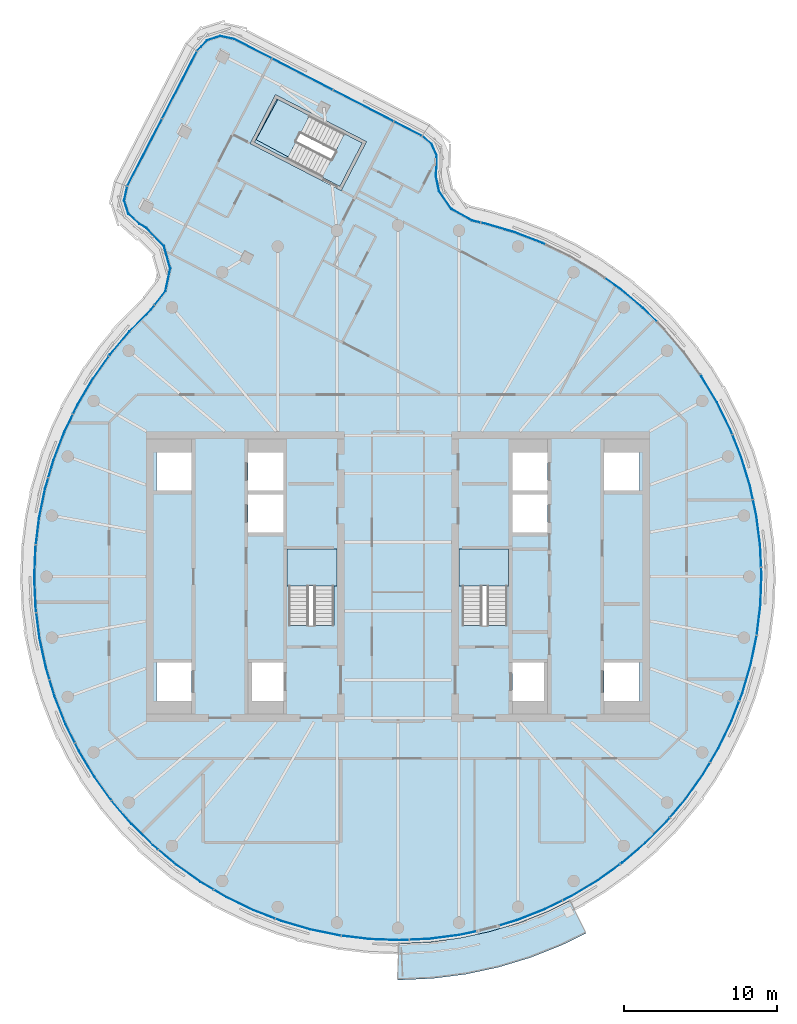
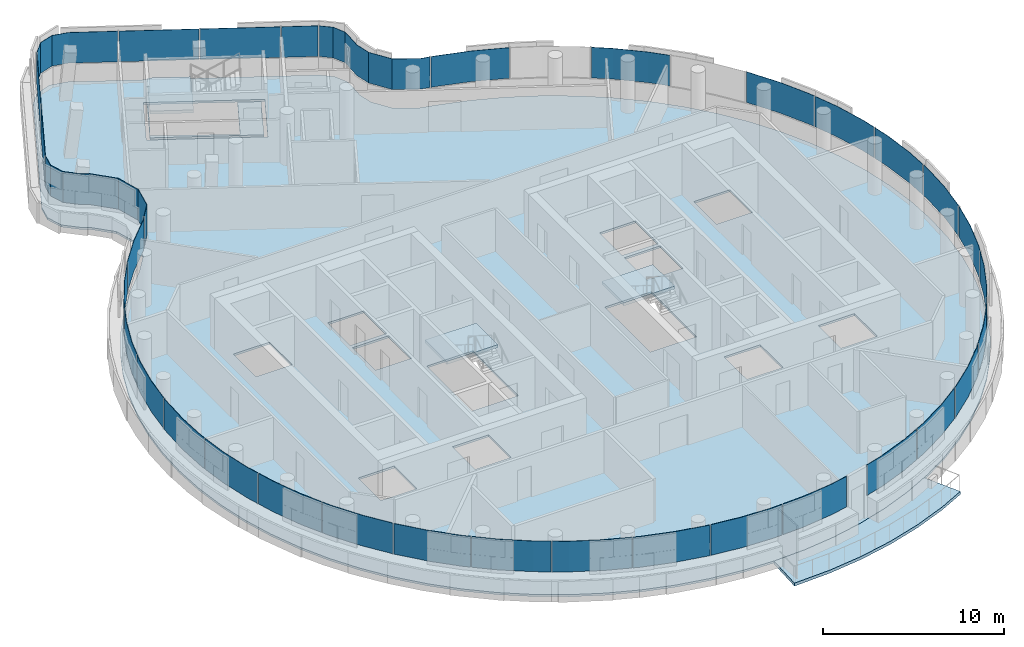
# One storey, part 12 of 21: 34 plates, 6 slabs, 6 elements without a shape of their own.
"""IFC4 building model written with IfcOpenShell, lengths in metres."""

from ifc_helpers import new_model, si_unit, direction, frame, origin, place, context, subcontext, project, spatial, polyline, outline, extrude, material, layer, layer_set, type_object, element, aggregate, save


model = new_model("IFC4")

# Units and contexts
model_context = context("Model", 3, precision=1e-05, world=origin(), true_north=direction((0.0, 1.0)))
body_context = subcontext(model_context, "Body", "Model", "MODEL_VIEW")
ifc_project = project(units=[si_unit("LENGTHUNIT", "METRE"), si_unit("AREAUNIT", "SQUARE_METRE"), si_unit("VOLUMEUNIT", "CUBIC_METRE"), si_unit("PLANEANGLEUNIT", "RADIAN"), si_unit("MASSUNIT", "GRAM", prefix="KILO")], contexts=[model_context])

# Site, building, storey
site_placement = place(None, origin())
site = spatial("IfcSite", under=ifc_project, at=site_placement, CompositionType="ELEMENT")
building_placement = place(site_placement, origin())
building = spatial("IfcBuilding", under=site, at=building_placement, Name="Tamarind Cross Interchange Tower", CompositionType="ELEMENT")
storey_placement = place(building_placement, frame((0.0, 0.0, 260.39990234375)))
storey = spatial("IfcBuildingStorey", under=building, at=storey_placement, Name="L66", CompositionType="ELEMENT", Elevation=260.39990234375)

# Slabs
ifc_material_1 = material(Name="Precast concrete C40", Category="concrete")
ifc_layer_1 = layer(ifc_material_1, 0.199951171875)
ifc_layer_set_1 = layer_set([ifc_layer_1], Name="Precast concrete C40")
slab_type_1 = type_object("IfcSlabType", Name="Balcony slab", PredefinedType="BASESLAB", material=ifc_layer_set_1)
slab_1_placement = place(storey_placement, frame((0.0, 0.0, -0.199951171875)))
element("IfcSlab", 1, at=slab_1_placement, inside=storey, type_object=slab_type_1, Name="SLB-L66-BAL01", PredefinedType="BASESLAB", context=body_context, shape_type="SweptSolid", body=[
    extrude(outline(polyline([(0.0654296875, -23.994384765625), (0.103271484375, -23.995849609375), (2.08447265625, -23.9052734375), (4.051513671875, -23.6513671875), (5.99072265625, -23.236083984375), (7.88916015625, -22.662109375), (9.733642578125, -21.93310546875), (11.241455078125, -21.18798828125), (12.304931640625, -23.339599609375), (10.7080078125, -24.128662109375), (8.6787109375, -24.9306640625), (6.59033203125, -25.56201171875), (4.45703125, -26.01904296875), (2.293212890625, -26.298095703125), (0.113525390625, -26.397705078125), (-0.0234375, -26.392578125), (0.0654296875, -23.994384765625)])), origin(), (0.0, 0.0, 1.0), 0.199951171875),
])
ifc_material_2 = material(Name="Concrete C35", Category="concrete")
ifc_layer_2 = layer(ifc_material_2, 0.139892578125)
ifc_layer_set_2 = layer_set([ifc_layer_2], Name="Concrete C35")
slab_type_2 = type_object("IfcSlabType", Name="Composite slab 140 Concrete C35", PredefinedType="FLOOR", material=ifc_layer_set_2)
slab_2_placement = place(storey_placement, frame((0.0, 0.0, -0.139892578125)))
element("IfcSlab", 2, at=slab_2_placement, inside=storey, type_object=slab_type_2, Name="Floor slab L66", PredefinedType="FLOOR", context=body_context, shape_type="SweptSolid", body=[
    extrude(outline(polyline([(2.373291015625, 28.431640625), (1.6953125, 29.002685546875), (-10.622802734375, 35.364013671875), (-11.63427734375, 35.584716796875), (-12.62060546875, 35.27001953125), (-13.3173828125, 34.50439453125), (-17.906005859375, 25.619384765625), (-18.126708984375, 24.60791015625), (-17.81201171875, 23.62158203125), (-17.04638671875, 22.924560546875), (-16.582763671875, 22.651611328125), (-15.4951171875, 21.5390625), (-15.10302734375, 20.1611328125), (-15.406494140625, 18.760986328125), (-16.327880859375, 17.584228515625), (-17.72412109375, 16.17578125), (-18.99951171875, 14.656982421875), (-20.14501953125, 13.0380859375), (-21.15283203125, 11.329833984375), (-22.01611328125, 9.54443359375), (-22.72900390625, 7.693603515625), (-23.286865234375, 5.79052734375), (-23.685546875, 3.84765625), (-23.92236328125, 1.878662109375), (-23.99560546875, -0.103271484375), (-23.9052734375, -2.08447265625), (-23.651611328125, -4.051513671875), (-23.236083984375, -5.99072265625), (-22.662109375, -7.88916015625), (-21.93310546875, -9.7333984375), (-21.054443359375, -11.511474609375), (-20.031982421875, -13.2109375), (-18.87255859375, -14.820068359375), (-17.584228515625, -16.327880859375), (-16.17578125, -17.72412109375), (-14.656982421875, -18.99951171875), (-13.0380859375, -20.14501953125), (-11.329833984375, -21.15283203125), (-9.54443359375, -22.01611328125), (-7.693603515625, -22.72900390625), (-5.79052734375, -23.286865234375), (-3.84765625, -23.685546875), (-1.878662109375, -23.92236328125), (0.103271484375, -23.99560546875), (2.08447265625, -23.9052734375), (4.051513671875, -23.651611328125), (5.99072265625, -23.236083984375), (7.88916015625, -22.662109375), (9.7333984375, -21.93310546875), (11.511474609375, -21.054443359375), (13.2109375, -20.031982421875), (14.820068359375, -18.87255859375), (16.327880859375, -17.584228515625), (17.72412109375, -16.17578125), (18.99951171875, -14.656982421875), (20.14501953125, -13.0380859375), (21.15283203125, -11.329833984375), (22.01611328125, -9.54443359375), (22.72900390625, -7.693603515625), (23.286865234375, -5.79052734375), (23.685546875, -3.84765625), (23.92236328125, -1.878662109375), (23.99560546875, 0.103271484375), (23.9052734375, 2.08447265625), (23.651611328125, 4.051513671875), (23.236083984375, 5.99072265625), (22.662109375, 7.88916015625), (21.93310546875, 9.7333984375), (21.054443359375, 11.511474609375), (20.031982421875, 13.2109375), (18.87255859375, 14.820068359375), (17.584228515625, 16.327880859375), (16.17578125, 17.72412109375), (14.656982421875, 18.99951171875), (13.0380859375, 20.14501953125), (11.329833984375, 21.15283203125), (9.54443359375, 22.01611328125), (7.693603515625, 22.72900390625), (5.79052734375, 23.286865234375), (4.920166015625, 23.49609375), (3.640380859375, 24.206787109375), (2.881591796875, 25.321533203125), (2.689453125, 26.207275390625), (2.71728515625, 26.737548828125), (2.73779296875, 27.623779296875), (2.373291015625, 28.431640625)]), holes=[polyline([(-13.5, -5.625), (-13.5, -8.125), (-15.800048828125, -8.125), (-15.800048828125, -5.625), (-13.5, -5.625)]), polyline([(-7.5, -5.625), (-7.5, -8.125), (-9.800048828125, -8.125), (-9.800048828125, -5.625), (-7.5, -5.625)]), polyline([(-7.14990234375, 1.800048828125), (-4.199951171875, 1.800048828125), (-4.199951171875, -3.18798828125), (-7.14990234375, -3.18798828125), (-7.14990234375, 1.800048828125)]), polyline([(-7.5, 5.375), (-7.5, 2.875), (-9.800048828125, 2.875), (-9.800048828125, 5.375), (-7.5, 5.375)]), polyline([(-13.5, 8.125), (-13.5, 5.625), (-15.800048828125, 5.625), (-15.800048828125, 8.125), (-13.5, 8.125)]), polyline([(-7.5, 8.125), (-7.5, 5.625), (-9.800048828125, 5.625), (-9.800048828125, 8.125), (-7.5, 8.125)]), polyline([(-9.66748046875, 28.3427734375), (-9.57568359375, 28.5205078125), (-8.107421875, 31.36376953125), (-8.015625, 31.54150390625), (-7.76171875, 31.410400390625), (-7.75927734375, 31.4150390625), (-7.50439453125, 31.277587890625), (-2.0625, 28.46728515625), (-2.154296875, 28.28955078125), (-3.62255859375, 25.4462890625), (-3.71435546875, 25.2685546875), (-9.66748046875, 28.3427734375)]), polyline([(7.5, -8.125), (7.5, -5.625), (9.800048828125, -5.625), (9.800048828125, -8.125), (7.5, -8.125)]), polyline([(13.5, -8.125), (13.5, -5.625), (15.800048828125, -5.625), (15.800048828125, -8.125), (13.5, -8.125)]), polyline([(4.199951171875, 1.800048828125), (7.14990234375, 1.800048828125), (7.14990234375, -3.18798828125), (4.199951171875, -3.18798828125), (4.199951171875, 1.800048828125)]), polyline([(7.5, 2.875), (7.5, 5.375), (9.800048828125, 5.375), (9.800048828125, 2.875), (7.5, 2.875)]), polyline([(7.5, 5.625), (7.5, 8.125), (9.800048828125, 8.125), (9.800048828125, 5.625), (7.5, 5.625)]), polyline([(13.5, 5.625), (13.5, 8.125), (15.800048828125, 8.125), (15.800048828125, 5.625), (13.5, 5.625)])]), origin(), (0.0, 0.0, 1.0), 0.139892578125),
])
slab_3_placement = place(storey_placement, frame((0.0, 0.0, -0.139892578125)))
element("IfcSlab", 3, at=slab_3_placement, inside=storey, type_object=slab_type_2, Name="Floor slab L66", PredefinedType="FLOOR", context=body_context, shape_type="SweptSolid", body=[
    extrude(outline(polyline([(-3.80029296875, 25.5380859375), (-2.33203125, 28.38134765625), (-3.424072265625, 28.9453125), (-3.497802734375, 28.9833984375), (-4.9130859375, 26.24267578125), (-9.279052734375, 28.59912109375), (-7.856689453125, 31.234375), (-7.9296875, 31.27197265625), (-9.39794921875, 28.4287109375), (-3.80029296875, 25.5380859375)])), origin(), (0.0, 0.0, 1.0), 0.139892578125),
])

# Stair, slab
ifc_material_3 = material(Name="Exit stair")
stair_type = type_object("IfcStairType", Name="Exit stair", PredefinedType="HALF_TURN_STAIR", material=ifc_material_3)
stair_1_placement = place(storey_placement, origin())
stair_1 = element("IfcStair", 4, at=stair_1_placement, inside=storey, type_object=stair_type, Name="L66 exit stair ST1", PredefinedType="HALF_TURN_STAIR")
ifc_material_4 = material(Name="Concrete C40", Category="concrete")
ifc_layer_3 = layer(ifc_material_4, 0.199951171875)
ifc_layer_set_3 = layer_set([ifc_layer_3], Name="Concrete C40")
slab_type_3 = type_object("IfcSlabType", Name="Stair landing", PredefinedType="LANDING", material=ifc_layer_set_3)
slab_4_placement = place(storey_placement, frame((0.0, 0.0, 1.60009765625)))
slab_4 = element("IfcSlab", 5, at=slab_4_placement, type_object=slab_type_3, Name="ST1 landing 1", PredefinedType="LANDING", context=body_context, shape_type="SweptSolid", body=[
    extrude(outline(polyline([(-4.0, -0.60009765625), (-4.0, 1.800048828125), (-7.25, 1.800048828125), (-7.25, -0.60009765625), (-4.0, -0.60009765625)])), origin(), (0.0, 0.0, 1.0), 0.199951171875),
])
aggregate(stair_1, [slab_4])

stair_2_placement = place(storey_placement, origin())
stair_2 = element("IfcStair", 6, at=stair_2_placement, inside=storey, type_object=stair_type, Name="L66 exit stair ST2", PredefinedType="HALF_TURN_STAIR")
slab_5_placement = place(storey_placement, frame((0.0, 0.0, 1.60009765625)))
slab_5 = element("IfcSlab", 7, at=slab_5_placement, type_object=slab_type_3, Name="ST2 landing 1", PredefinedType="LANDING", context=body_context, shape_type="SweptSolid", body=[
    extrude(outline(polyline([(7.25, -0.60009765625), (7.25, 1.800048828125), (4.0, 1.800048828125), (4.0, -0.60009765625), (7.25, -0.60009765625)])), origin(), (0.0, 0.0, 1.0), 0.199951171875),
])
aggregate(stair_2, [slab_5])

stair_3_placement = place(storey_placement, origin())
stair_3 = element("IfcStair", 8, at=stair_3_placement, inside=storey, type_object=stair_type, Name="L66 exit stair ST4", PredefinedType="HALF_TURN_STAIR")
slab_6_placement = place(storey_placement, frame((0.0, 0.0, 1.60009765625)))
slab_6 = element("IfcSlab", 9, at=slab_6_placement, type_object=slab_type_3, Name="ST4 landing 1", PredefinedType="LANDING", context=body_context, shape_type="SweptSolid", body=[
    extrude(outline(polyline([(-5.78662109375, 30.165283203125), (-7.9296875, 31.27197265625), (-9.39794921875, 28.4287109375), (-7.2548828125, 27.322021484375), (-5.78662109375, 30.165283203125)])), origin(), (0.0, 0.0, 1.0), 0.199951171875),
])
aggregate(stair_3, [slab_6])

# Curtain wall, plates
ifc_material_5 = material(Name="Aluminium 6063-T6", Category="aluminium")
ifc_layer_4 = layer(ifc_material_5, 0.139892578125)
ifc_layer_set_4 = layer_set([ifc_layer_4], Name="Aluminium 6063-T6")
curtain_wall_type = type_object("IfcCurtainWallType", Name="Hotel curtain wall, 4.5 m bays", PredefinedType="NOTDEFINED", material=ifc_layer_set_4)
curtain_wall_1_placement = place(storey_placement, origin())
curtain_wall_1 = element("IfcCurtainWall", 10, at=curtain_wall_1_placement, inside=storey, type_object=curtain_wall_type, Name="CWS-L66-00", PredefinedType="NOTDEFINED")
ifc_material_6 = material(Name="Laminated low-e glass 6+1.52+6", Category="glass")
ifc_layer_5 = layer(ifc_material_6, 0.02392578125)
ifc_layer_set_5 = layer_set([ifc_layer_5], Name="Laminated low-e glass 6+1.52+6")
plate_type = type_object("IfcPlateType", Name="Vision panel CW2", PredefinedType="CURTAIN_PANEL", material=ifc_layer_set_5)
plate_1_placement = place(storey_placement, frame((0.0, 0.0, 1.400146484375)))
plate_1 = element("IfcPlate", 11, at=plate_1_placement, type_object=plate_type, Name="CWP-L66-00-00", PredefinedType="CURTAIN_PANEL", context=body_context, shape_type="SweptSolid", body=[
    extrude(outline(polyline([(-13.155029296875, 34.357177734375), (-15.40966796875, 29.9912109375), (-15.430908203125, 30.00244140625), (-13.17626953125, 34.3681640625), (-13.155029296875, 34.357177734375)])), origin(), (0.0, 0.0, 1.0), 2.06005859375),
])
plate_2_placement = place(storey_placement, frame((0.0, 0.0, 1.400146484375)))
plate_2 = element("IfcPlate", 12, at=plate_2_placement, type_object=plate_type, Name="CWP-L66-00-01", PredefinedType="CURTAIN_PANEL", context=body_context, shape_type="SweptSolid", body=[
    extrude(outline(polyline([(-15.43701171875, 29.93798828125), (-17.691650390625, 25.572021484375), (-17.712890625, 25.5830078125), (-15.45849609375, 29.948974609375), (-15.43701171875, 29.93798828125)])), origin(), (0.0, 0.0, 1.0), 2.06005859375),
])
aggregate(curtain_wall_1, [plate_1, plate_2])

curtain_wall_2_placement = place(storey_placement, origin())
curtain_wall_2 = element("IfcCurtainWall", 13, at=curtain_wall_2_placement, inside=storey, type_object=curtain_wall_type, Name="CWS-L66-01", PredefinedType="NOTDEFINED")
plate_3_placement = place(storey_placement, frame((0.0, 0.0, 1.400146484375)))
plate_3 = element("IfcPlate", 14, at=plate_3_placement, type_object=plate_type, Name="CWP-L66-01-00", PredefinedType="CURTAIN_PANEL", context=body_context, shape_type="SweptSolid", body=[
    extrude(outline(polyline([(-17.710693359375, 25.51904296875), (-17.907470703125, 24.6181640625), (-17.62744140625, 23.739990234375), (-16.919921875, 23.09619140625), (-16.450927734375, 22.81982421875), (-15.3056640625, 21.648681640625), (-14.884521484375, 20.16796875), (-15.20947265625, 18.668701171875), (-15.897216796875, 17.790283203125), (-15.916259765625, 17.804931640625), (-15.23193359375, 18.67919921875), (-14.909423828125, 20.167236328125), (-15.3271484375, 21.63623046875), (-16.4658203125, 22.80078125), (-16.934326171875, 23.07666015625), (-17.648193359375, 23.7265625), (-17.93212890625, 24.616943359375), (-17.734130859375, 25.524169921875), (-17.710693359375, 25.51904296875)])), origin(), (0.0, 0.0, 1.0), 2.06005859375),
])
plate_4_placement = place(storey_placement, frame((0.0, 0.0, 1.400146484375)))
plate_4 = element("IfcPlate", 15, at=plate_4_placement, type_object=plate_type, Name="CWP-L66-01-01", PredefinedType="CURTAIN_PANEL", context=body_context, shape_type="SweptSolid", body=[
    extrude(outline(polyline([(-15.934326171875, 17.742919921875), (-16.16845703125, 17.44384765625), (-17.5673828125, 16.032958984375), (-18.83154296875, 14.52734375), (-18.8935546875, 14.439697265625), (-18.9130859375, 14.45361328125), (-18.850341796875, 14.5419921875), (-17.585205078125, 16.049072265625), (-16.1865234375, 17.459716796875), (-15.953125, 17.7578125), (-15.934326171875, 17.742919921875)])), origin(), (0.0, 0.0, 1.0), 2.06005859375),
])
plate_5_placement = place(storey_placement, frame((0.0, 0.0, 1.400146484375)))
plate_5 = element("IfcPlate", 16, at=plate_5_placement, type_object=plate_type, Name="CWP-L66-01-02", PredefinedType="CURTAIN_PANEL", context=body_context, shape_type="SweptSolid", body=[
    extrude(outline(polyline([(-18.92822265625, 14.390625), (-19.966796875, 12.922607421875), (-20.9658203125, 11.229736328125), (-21.244873046875, 10.652587890625), (-21.266357421875, 10.6630859375), (-20.98681640625, 11.240966796875), (-19.987060546875, 12.935791015625), (-18.94775390625, 14.404541015625), (-18.92822265625, 14.390625)])), origin(), (0.0, 0.0, 1.0), 2.06005859375),
])
plate_6_placement = place(storey_placement, frame((0.0, 0.0, 1.400146484375)))
plate_6 = element("IfcPlate", 17, at=plate_6_placement, type_object=plate_type, Name="CWP-L66-01-03", PredefinedType="CURTAIN_PANEL", context=body_context, shape_type="SweptSolid", body=[
    extrude(outline(polyline([(-21.27099609375, 10.5986328125), (-21.821533203125, 9.4599609375), (-22.528076171875, 7.625732421875), (-22.8583984375, 6.498291015625), (-22.881591796875, 6.5048828125), (-22.55078125, 7.63330078125), (-21.843505859375, 9.469482421875), (-21.29248046875, 10.60888671875), (-21.27099609375, 10.5986328125)])), origin(), (0.0, 0.0, 1.0), 2.06005859375),
])
plate_7_placement = place(storey_placement, frame((0.0, 0.0, 1.400146484375)))
plate_7 = element("IfcPlate", 18, at=plate_7_placement, type_object=plate_type, Name="CWP-L66-01-04", PredefinedType="CURTAIN_PANEL", context=body_context, shape_type="SweptSolid", body=[
    extrude(outline(polyline([(-22.87548828125, 6.440673828125), (-23.080810546875, 5.7392578125), (-23.47607421875, 3.813720703125), (-23.679931640625, 2.117431640625), (-23.703857421875, 2.120361328125), (-23.499755859375, 3.817626953125), (-23.104248046875, 5.7451171875), (-22.8984375, 6.447509765625), (-22.87548828125, 6.440673828125)])), origin(), (0.0, 0.0, 1.0), 2.06005859375),
])
plate_8_placement = place(storey_placement, frame((0.0, 0.0, 1.400146484375)))
plate_8 = element("IfcPlate", 19, at=plate_8_placement, type_object=plate_type, Name="CWP-L66-01-05", PredefinedType="CURTAIN_PANEL", context=body_context, shape_type="SweptSolid", body=[
    extrude(outline(polyline([(-23.687255859375, 2.057861328125), (-23.710693359375, 1.862060546875), (-23.783447265625, -0.102294921875), (-23.69384765625, -2.06591796875), (-23.65869140625, -2.338623046875), (-23.682373046875, -2.341796875), (-23.7177734375, -2.068115234375), (-23.8076171875, -0.1025390625), (-23.734619140625, 1.864013671875), (-23.7109375, 2.060791015625), (-23.687255859375, 2.057861328125)])), origin(), (0.0, 0.0, 1.0), 2.06005859375),
])
plate_9_placement = place(storey_placement, frame((0.0, 0.0, 1.400146484375)))
plate_9 = element("IfcPlate", 20, at=plate_9_placement, type_object=plate_type, Name="CWP-L66-01-06", PredefinedType="CURTAIN_PANEL", context=body_context, shape_type="SweptSolid", body=[
    extrude(outline(polyline([(-23.651123046875, -2.398193359375), (-23.4423828125, -4.015625), (-23.03076171875, -5.937744140625), (-22.796630859375, -6.711669921875), (-22.819580078125, -6.71875), (-23.053955078125, -5.94384765625), (-23.466064453125, -4.019775390625), (-23.6748046875, -2.4013671875), (-23.651123046875, -2.398193359375)])), origin(), (0.0, 0.0, 1.0), 2.06005859375),
])
plate_10_placement = place(storey_placement, frame((0.0, 0.0, 1.400146484375)))
plate_10 = element("IfcPlate", 21, at=plate_10_placement, type_object=plate_type, Name="CWP-L66-01-07", PredefinedType="CURTAIN_PANEL", context=body_context, shape_type="SweptSolid", body=[
    extrude(outline(polyline([(-22.779296875, -6.769287109375), (-22.461669921875, -7.8193359375), (-21.7392578125, -9.6474609375), (-21.14453125, -10.85107421875), (-21.166015625, -10.861572265625), (-21.76123046875, -9.6572265625), (-22.484375, -7.8271484375), (-22.80224609375, -6.776123046875), (-22.779296875, -6.769287109375)])), origin(), (0.0, 0.0, 1.0), 2.06005859375),
])
plate_11_placement = place(storey_placement, frame((0.0, 0.0, 1.400146484375)))
plate_11 = element("IfcPlate", 22, at=plate_11_placement, type_object=plate_type, Name="CWP-L66-01-08", PredefinedType="CURTAIN_PANEL", context=body_context, shape_type="SweptSolid", body=[
    extrude(outline(polyline([(-21.117919921875, -10.90478515625), (-20.868408203125, -11.40966796875), (-19.854736328125, -13.093994140625), (-18.758056640625, -14.6162109375), (-18.777587890625, -14.630126953125), (-19.874755859375, -13.107177734375), (-20.889404296875, -11.421142578125), (-21.139404296875, -10.91552734375), (-21.117919921875, -10.90478515625)])), origin(), (0.0, 0.0, 1.0), 2.06005859375),
])
plate_12_placement = place(storey_placement, frame((0.0, 0.0, 1.400146484375)))
plate_12 = element("IfcPlate", 23, at=plate_12_placement, type_object=plate_type, Name="CWP-L66-01-09", PredefinedType="CURTAIN_PANEL", context=body_context, shape_type="SweptSolid", body=[
    extrude(outline(polyline([(-18.72314453125, -14.664794921875), (-18.705810546875, -14.68896484375), (-17.4287109375, -16.183349609375), (-16.032958984375, -17.5673828125), (-15.694091796875, -17.85205078125), (-15.70947265625, -17.870361328125), (-16.049072265625, -17.585205078125), (-17.4462890625, -16.19970703125), (-18.724609375, -14.703857421875), (-18.74267578125, -14.6787109375), (-18.72314453125, -14.664794921875)])), origin(), (0.0, 0.0, 1.0), 2.06005859375),
])
plate_13_placement = place(storey_placement, frame((0.0, 0.0, 1.400146484375)))
plate_13 = element("IfcPlate", 24, at=plate_13_placement, type_object=plate_type, Name="CWP-L66-01-10", PredefinedType="CURTAIN_PANEL", context=body_context, shape_type="SweptSolid", body=[
    extrude(outline(polyline([(-15.64794921875, -17.890625), (-14.52734375, -18.83154296875), (-12.922607421875, -19.966796875), (-12.081787109375, -20.462890625), (-12.093994140625, -20.483642578125), (-12.935791015625, -19.987060546875), (-14.5419921875, -18.850341796875), (-15.66357421875, -17.908935546875), (-15.64794921875, -17.890625)])), origin(), (0.0, 0.0, 1.0), 2.06005859375),
])
plate_14_placement = place(storey_placement, frame((0.0, 0.0, 1.400146484375)))
plate_14 = element("IfcPlate", 25, at=plate_14_placement, type_object=plate_type, Name="CWP-L66-01-11", PredefinedType="CURTAIN_PANEL", context=body_context, shape_type="SweptSolid", body=[
    extrude(outline(polyline([(-12.0302734375, -20.493408203125), (-11.229736328125, -20.9658203125), (-9.4599609375, -21.821533203125), (-8.051025390625, -22.3642578125), (-8.0595703125, -22.38671875), (-9.469482421875, -21.843505859375), (-11.240966796875, -20.98681640625), (-12.04248046875, -20.51416015625), (-12.0302734375, -20.493408203125)])), origin(), (0.0, 0.0, 1.0), 2.06005859375),
])
plate_15_placement = place(storey_placement, frame((0.0, 0.0, 1.400146484375)))
plate_15 = element("IfcPlate", 26, at=plate_15_placement, type_object=plate_type, Name="CWP-L66-01-12", PredefinedType="CURTAIN_PANEL", context=body_context, shape_type="SweptSolid", body=[
    extrude(outline(polyline([(-7.994873046875, -22.385986328125), (-7.625732421875, -22.528076171875), (-5.7392578125, -23.080810546875), (-3.813720703125, -23.47607421875), (-3.73779296875, -23.485107421875), (-3.74072265625, -23.509033203125), (-3.817626953125, -23.499755859375), (-5.7451171875, -23.104248046875), (-7.63330078125, -22.55078125), (-8.003662109375, -22.408203125), (-7.994873046875, -22.385986328125)])), origin(), (0.0, 0.0, 1.0), 2.06005859375),
])
plate_16_placement = place(storey_placement, frame((0.0, 0.0, 1.400146484375)))
plate_16 = element("IfcPlate", 27, at=plate_16_placement, type_object=plate_type, Name="CWP-L66-01-13", PredefinedType="CURTAIN_PANEL", context=body_context, shape_type="SweptSolid", body=[
    extrude(outline(polyline([(-3.67822265625, -23.4921875), (-1.862060546875, -23.710693359375), (0.102294921875, -23.783447265625), (0.711669921875, -23.755615234375), (0.712890625, -23.77978515625), (0.1025390625, -23.8076171875), (-1.864013671875, -23.734619140625), (-3.68115234375, -23.51611328125), (-3.67822265625, -23.4921875)])), origin(), (0.0, 0.0, 1.0), 2.06005859375),
])
plate_17_placement = place(storey_placement, frame((0.0, 0.0, 1.400146484375)))
plate_17 = element("IfcPlate", 28, at=plate_17_placement, type_object=plate_type, Name="CWP-L66-01-14", PredefinedType="CURTAIN_PANEL", context=body_context, shape_type="SweptSolid", body=[
    extrude(outline(polyline([(0.771728515625, -23.7529296875), (2.06591796875, -23.69384765625), (4.015625, -23.4423828125), (5.134033203125, -23.202880859375), (5.138916015625, -23.226318359375), (4.019775390625, -23.466064453125), (2.068115234375, -23.7177734375), (0.772705078125, -23.77685546875), (0.771728515625, -23.7529296875)])), origin(), (0.0, 0.0, 1.0), 2.06005859375),
])
plate_18_placement = place(storey_placement, frame((0.0, 0.0, 1.400146484375)))
plate_18 = element("IfcPlate", 29, at=plate_18_placement, type_object=plate_type, Name="CWP-L66-01-16", PredefinedType="CURTAIN_PANEL", context=body_context, shape_type="SweptSolid", body=[
    extrude(outline(polyline([(6.650146484375, -22.815185546875), (7.8193359375, -22.461669921875), (9.6474609375, -21.7392578125), (10.739501953125, -21.199462890625), (10.75, -21.22119140625), (9.6572265625, -21.76123046875), (7.8271484375, -22.484375), (6.6572265625, -22.838134765625), (6.650146484375, -22.815185546875)])), origin(), (0.0, 0.0, 1.0), 2.06005859375),
])
plate_19_placement = place(storey_placement, frame((0.0, 0.0, 1.400146484375)))
plate_19 = element("IfcPlate", 30, at=plate_19_placement, type_object=plate_type, Name="CWP-L66-01-17", PredefinedType="CURTAIN_PANEL", context=body_context, shape_type="SweptSolid", body=[
    extrude(outline(polyline([(10.793212890625, -21.173095703125), (11.40966796875, -20.868408203125), (13.093994140625, -19.854736328125), (14.515380859375, -18.830810546875), (14.529296875, -18.85009765625), (13.107177734375, -19.874755859375), (11.421142578125, -20.889404296875), (10.803955078125, -21.194580078125), (10.793212890625, -21.173095703125)])), origin(), (0.0, 0.0, 1.0), 2.06005859375),
])
plate_20_placement = place(storey_placement, frame((0.0, 0.0, 1.400146484375)))
plate_20 = element("IfcPlate", 31, at=plate_20_placement, type_object=plate_type, Name="CWP-L66-01-18", PredefinedType="CURTAIN_PANEL", context=body_context, shape_type="SweptSolid", body=[
    extrude(outline(polyline([(14.56396484375, -18.795654296875), (14.68896484375, -18.705810546875), (16.183349609375, -17.4287109375), (17.5673828125, -16.032958984375), (17.77197265625, -15.7890625), (17.79052734375, -15.8046875), (17.585205078125, -16.049072265625), (16.19970703125, -17.4462890625), (14.703857421875, -18.724609375), (14.578125, -18.815185546875), (14.56396484375, -18.795654296875)])), origin(), (0.0, 0.0, 1.0), 2.06005859375),
])
plate_21_placement = place(storey_placement, frame((0.0, 0.0, 1.400146484375)))
plate_21 = element("IfcPlate", 32, at=plate_21_placement, type_object=plate_type, Name="CWP-L66-01-19", PredefinedType="CURTAIN_PANEL", context=body_context, shape_type="SweptSolid", body=[
    extrude(outline(polyline([(17.810546875, -15.7431640625), (18.83154296875, -14.52734375), (19.966796875, -12.922607421875), (20.399658203125, -12.18896484375), (20.42041015625, -12.201171875), (19.987060546875, -12.935791015625), (18.850341796875, -14.5419921875), (17.8291015625, -15.758544921875), (17.810546875, -15.7431640625)])), origin(), (0.0, 0.0, 1.0), 2.06005859375),
])
plate_22_placement = place(storey_placement, frame((0.0, 0.0, 1.400146484375)))
plate_22 = element("IfcPlate", 33, at=plate_22_placement, type_object=plate_type, Name="CWP-L66-01-20", PredefinedType="CURTAIN_PANEL", context=body_context, shape_type="SweptSolid", body=[
    extrude(outline(polyline([(20.43017578125, -12.137451171875), (20.9658203125, -11.229736328125), (21.821533203125, -9.4599609375), (22.319580078125, -8.1669921875), (22.342041015625, -8.175537109375), (21.843505859375, -9.469482421875), (20.98681640625, -11.240966796875), (20.450927734375, -12.149658203125), (20.43017578125, -12.137451171875)])), origin(), (0.0, 0.0, 1.0), 2.06005859375),
])
plate_23_placement = place(storey_placement, frame((0.0, 0.0, 1.400146484375)))
plate_23 = element("IfcPlate", 34, at=plate_23_placement, type_object=plate_type, Name="CWP-L66-01-21", PredefinedType="CURTAIN_PANEL", context=body_context, shape_type="SweptSolid", body=[
    extrude(outline(polyline([(22.341064453125, -8.111083984375), (22.528076171875, -7.625732421875), (23.080810546875, -5.7392578125), (23.466796875, -3.859130859375), (23.490234375, -3.864013671875), (23.104248046875, -5.7451171875), (22.55078125, -7.63330078125), (22.363525390625, -8.11962890625), (22.341064453125, -8.111083984375)])), origin(), (0.0, 0.0, 1.0), 2.06005859375),
])
plate_24_placement = place(storey_placement, frame((0.0, 0.0, 1.400146484375)))
plate_24 = element("IfcPlate", 35, at=plate_24_placement, type_object=plate_type, Name="CWP-L66-01-22", PredefinedType="CURTAIN_PANEL", context=body_context, shape_type="SweptSolid", body=[
    extrude(outline(polyline([(23.4775390625, -3.80126953125), (23.710693359375, -1.862060546875), (23.783447265625, 0.102294921875), (23.761474609375, 0.587646484375), (23.785400390625, 0.588623046875), (23.8076171875, 0.1025390625), (23.734619140625, -1.864013671875), (23.50146484375, -3.803955078125), (23.4775390625, -3.80126953125)])), origin(), (0.0, 0.0, 1.0), 2.06005859375),
])
plate_25_placement = place(storey_placement, frame((0.0, 0.0, 1.400146484375)))
plate_25 = element("IfcPlate", 36, at=plate_25_placement, type_object=plate_type, Name="CWP-L66-01-23", PredefinedType="CURTAIN_PANEL", context=body_context, shape_type="SweptSolid", body=[
    extrude(outline(polyline([(23.758544921875, 0.6474609375), (23.69384765625, 2.06591796875), (23.4423828125, 4.015625), (23.228759765625, 5.012451171875), (23.252197265625, 5.017578125), (23.466064453125, 4.019775390625), (23.7177734375, 2.068115234375), (23.78271484375, 0.648681640625), (23.758544921875, 0.6474609375)])), origin(), (0.0, 0.0, 1.0), 2.06005859375),
])
plate_26_placement = place(storey_placement, frame((0.0, 0.0, 1.400146484375)))
plate_26 = element("IfcPlate", 37, at=plate_26_placement, type_object=plate_type, Name="CWP-L66-01-24", PredefinedType="CURTAIN_PANEL", context=body_context, shape_type="SweptSolid", body=[
    extrude(outline(polyline([(23.21630859375, 5.071044921875), (23.03076171875, 5.937744140625), (22.461669921875, 7.8193359375), (21.890869140625, 9.263916015625), (21.9130859375, 9.272705078125), (22.484375, 7.8271484375), (23.053955078125, 5.94384765625), (23.23974609375, 5.076171875), (23.21630859375, 5.071044921875)])), origin(), (0.0, 0.0, 1.0), 2.06005859375),
])
plate_27_placement = place(storey_placement, frame((0.0, 0.0, 1.400146484375)))
plate_27 = element("IfcPlate", 38, at=plate_27_placement, type_object=plate_type, Name="CWP-L66-01-25", PredefinedType="CURTAIN_PANEL", context=body_context, shape_type="SweptSolid", body=[
    extrude(outline(polyline([(21.86865234375, 9.319580078125), (21.7392578125, 9.6474609375), (20.868408203125, 11.40966796875), (19.854736328125, 13.093994140625), (19.784912109375, 13.191162109375), (19.80419921875, 13.205322265625), (19.874755859375, 13.107177734375), (20.889404296875, 11.421142578125), (21.76123046875, 9.6572265625), (21.89111328125, 9.328369140625), (21.86865234375, 9.319580078125)])), origin(), (0.0, 0.0, 1.0), 2.06005859375),
])
plate_28_placement = place(storey_placement, frame((0.0, 0.0, 1.400146484375)))
plate_28 = element("IfcPlate", 39, at=plate_28_placement, type_object=plate_type, Name="CWP-L66-01-27", PredefinedType="CURTAIN_PANEL", context=body_context, shape_type="SweptSolid", body=[
    extrude(outline(polyline([(16.92236328125, 16.685791015625), (16.032958984375, 17.5673828125), (14.52734375, 18.83154296875), (13.558349609375, 19.51708984375), (13.572265625, 19.53662109375), (14.5419921875, 18.850341796875), (16.049072265625, 17.585205078125), (16.939208984375, 16.70263671875), (16.92236328125, 16.685791015625)])), origin(), (0.0, 0.0, 1.0), 2.06005859375),
])
plate_29_placement = place(storey_placement, frame((0.0, 0.0, 1.400146484375)))
plate_29 = element("IfcPlate", 40, at=plate_29_placement, type_object=plate_type, Name="CWP-L66-01-29", PredefinedType="CURTAIN_PANEL", context=body_context, shape_type="SweptSolid", body=[
    extrude(outline(polyline([(9.62646484375, 21.740966796875), (9.4599609375, 21.821533203125), (7.625732421875, 22.528076171875), (5.73583984375, 23.08203125), (5.44580078125, 23.151611328125), (5.451416015625, 23.175048828125), (5.741943359375, 23.105224609375), (7.63330078125, 22.55078125), (9.469482421875, 21.843505859375), (9.636962890625, 21.762451171875), (9.62646484375, 21.740966796875)])), origin(), (0.0, 0.0, 1.0), 2.06005859375),
])
plate_30_placement = place(storey_placement, frame((0.0, 0.0, 1.400146484375)))
plate_30 = element("IfcPlate", 41, at=plate_30_placement, type_object=plate_type, Name="CWP-L66-01-30", PredefinedType="CURTAIN_PANEL", context=body_context, shape_type="SweptSolid", body=[
    extrude(outline(polyline([(5.387451171875, 23.165771484375), (4.842529296875, 23.296875), (3.493408203125, 24.046142578125), (2.68310546875, 25.236328125), (2.476318359375, 26.18994140625), (2.50537109375, 26.74560546875), (2.524658203125, 27.580322265625), (2.19970703125, 28.300537109375), (1.598876953125, 28.806884765625), (1.6142578125, 28.8251953125), (2.219482421875, 28.3154296875), (2.548828125, 27.58544921875), (2.529296875, 26.74462890625), (2.50048828125, 26.19189453125), (2.70556640625, 25.24609375), (3.510009765625, 24.064208984375), (4.851318359375, 23.3193359375), (5.39306640625, 23.18896484375), (5.387451171875, 23.165771484375)])), origin(), (0.0, 0.0, 1.0), 2.06005859375),
])
aggregate(curtain_wall_2, [plate_3, plate_4, plate_5, plate_6, plate_7, plate_8, plate_9, plate_10, plate_11, plate_12, plate_13, plate_14, plate_15, plate_16, plate_17, plate_18, plate_19, plate_20, plate_21, plate_22, plate_23, plate_24, plate_25, plate_26, plate_27, plate_28, plate_29, plate_30])

curtain_wall_3_placement = place(storey_placement, origin())
curtain_wall_3 = element("IfcCurtainWall", 42, at=curtain_wall_3_placement, inside=storey, type_object=curtain_wall_type, Name="CWS-L66-02", PredefinedType="NOTDEFINED")
plate_31_placement = place(storey_placement, frame((0.0, 0.0, 1.400146484375)))
plate_31 = element("IfcPlate", 43, at=plate_31_placement, type_object=plate_type, Name="CWP-L66-02-00", PredefinedType="CURTAIN_PANEL", context=body_context, shape_type="SweptSolid", body=[
    extrude(outline(polyline([(1.551513671875, 28.83837890625), (-0.24853515625, 29.76806640625), (-0.237548828125, 29.789306640625), (1.5625, 28.85986328125), (1.551513671875, 28.83837890625)])), origin(), (0.0, 0.0, 1.0), 2.06005859375),
])
plate_32_placement = place(storey_placement, frame((0.0, 0.0, 1.400146484375)))
plate_32 = element("IfcPlate", 44, at=plate_32_placement, type_object=plate_type, Name="CWP-L66-02-01", PredefinedType="CURTAIN_PANEL", context=body_context, shape_type="SweptSolid", body=[
    extrude(outline(polyline([(-0.3017578125, 29.795654296875), (-4.23291015625, 31.825439453125), (-4.221923828125, 31.846923828125), (-0.290771484375, 29.81689453125), (-0.3017578125, 29.795654296875)])), origin(), (0.0, 0.0, 1.0), 2.06005859375),
])
plate_33_placement = place(storey_placement, frame((0.0, 0.0, 1.400146484375)))
plate_33 = element("IfcPlate", 45, at=plate_33_placement, type_object=plate_type, Name="CWP-L66-02-02", PredefinedType="CURTAIN_PANEL", context=body_context, shape_type="SweptSolid", body=[
    extrude(outline(polyline([(-4.2861328125, 31.85302734375), (-8.217041015625, 33.883056640625), (-8.2060546875, 33.904296875), (-4.275146484375, 31.874267578125), (-4.2861328125, 31.85302734375)])), origin(), (0.0, 0.0, 1.0), 2.06005859375),
])
plate_34_placement = place(storey_placement, frame((0.0, 0.0, 1.400146484375)))
plate_34 = element("IfcPlate", 46, at=plate_34_placement, type_object=plate_type, Name="CWP-L66-02-03", PredefinedType="CURTAIN_PANEL", context=body_context, shape_type="SweptSolid", body=[
    extrude(outline(polyline([(-8.2705078125, 33.91064453125), (-10.6953125, 35.162841796875), (-11.6240234375, 35.365478515625), (-12.502197265625, 35.08544921875), (-13.122802734375, 34.403564453125), (-13.140625, 34.419677734375), (-12.515380859375, 35.106201171875), (-11.625244140625, 35.390380859375), (-10.68701171875, 35.185546875), (-8.259521484375, 33.931884765625), (-8.2705078125, 33.91064453125)])), origin(), (0.0, 0.0, 1.0), 2.06005859375),
])
aggregate(curtain_wall_3, [plate_31, plate_32, plate_33, plate_34])

save(model, "model.ifc")
